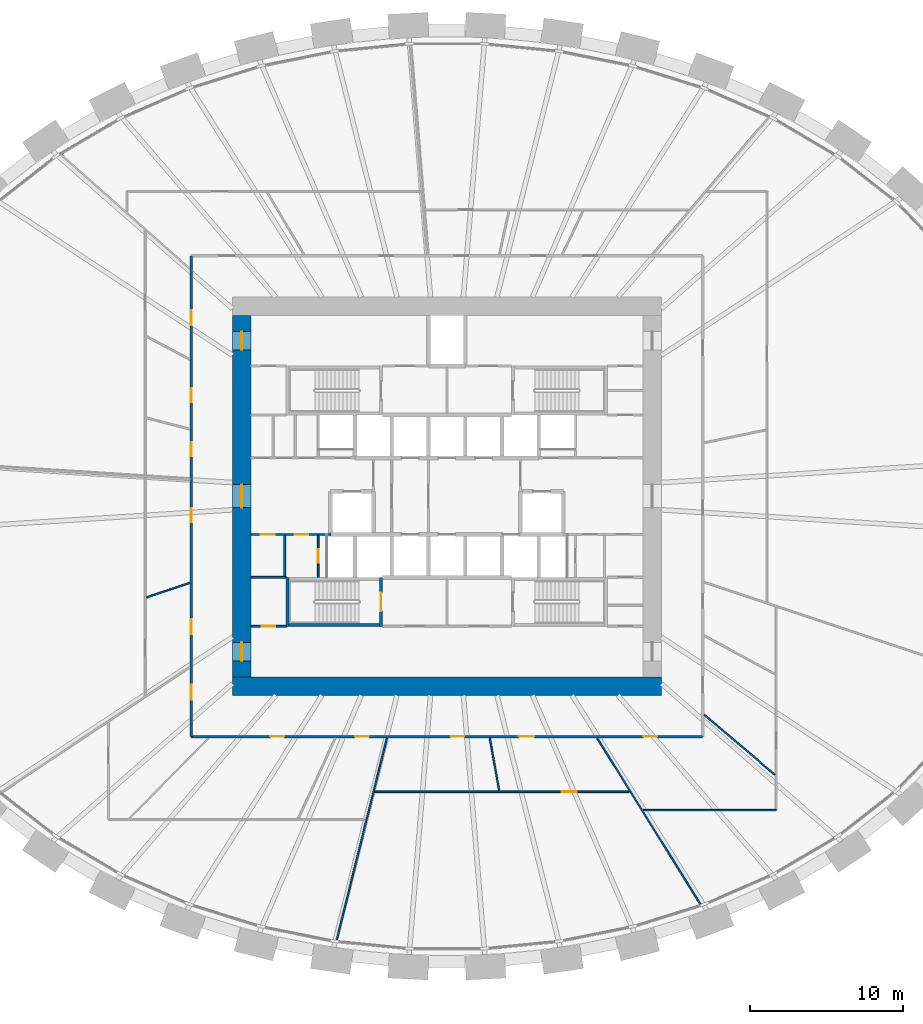
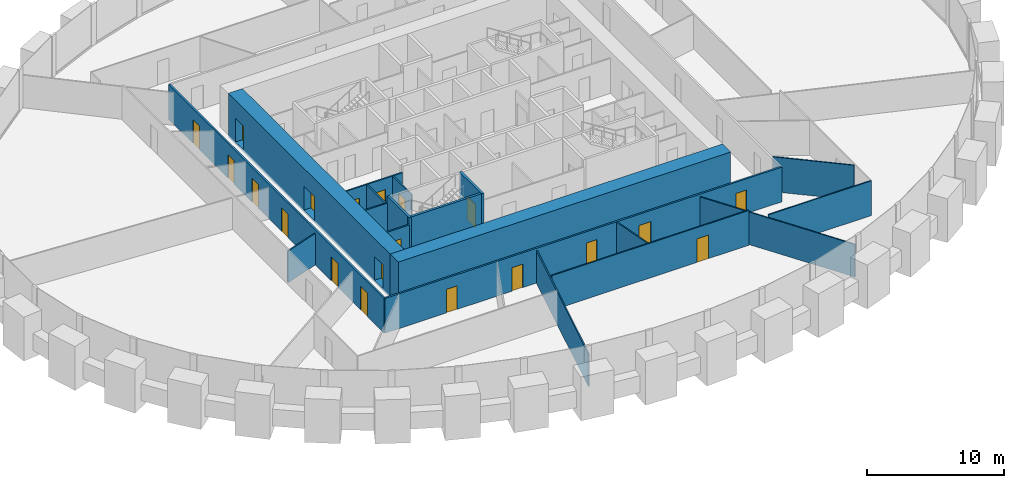
# One storey, part 6 of 11: 20 doors, 19 walls, 20 openings.
"""IFC4 building model written with IfcOpenShell, lengths in metres."""

from ifc_helpers import new_model, si_unit, direction, frame, frame_2d, origin, place, context, subcontext, project, spatial, rectangle, extrude, source, transform, mapped, material, layer, layer_set, type_object, element, fill, save


model = new_model("IFC4")

# Units and contexts
model_context = context("Model", 3, precision=1e-05, world=origin(), true_north=direction((0.0, 1.0)))
body_context = subcontext(model_context, "Body", "Model", "MODEL_VIEW")
ifc_project = project(units=[si_unit("LENGTHUNIT", "METRE"), si_unit("AREAUNIT", "SQUARE_METRE"), si_unit("VOLUMEUNIT", "CUBIC_METRE"), si_unit("PLANEANGLEUNIT", "RADIAN"), si_unit("MASSUNIT", "GRAM", prefix="KILO")], contexts=[model_context])

# Site, building, storey
site_placement = place(None, origin())
site = spatial("IfcSite", under=ifc_project, at=site_placement, CompositionType="ELEMENT")
building_placement = place(site_placement, origin())
building = spatial("IfcBuilding", under=site, at=building_placement, Name="Embergate Tower", CompositionType="ELEMENT")
storey_placement = place(building_placement, frame((0.0, 0.0, 41.89990234375)))
storey = spatial("IfcBuildingStorey", under=building, at=storey_placement, Name="L06", CompositionType="ELEMENT", Elevation=41.89990234375)

# Wall
ifc_material_1 = material(Name="Concrete C80", Category="concrete")
ifc_layer_1 = layer(ifc_material_1, 1.199951171875)
ifc_layer_set_1 = layer_set([ifc_layer_1], Name="Concrete C80")
wall_type_1 = type_object("IfcWallType", Name="Core outer wall C80 1200", PredefinedType="SHEAR", material=ifc_layer_set_1)
shared_shape_1 = source(origin(), body_context, "Body", "SweptSolid", [
    extrude(rectangle(XDim=28.0, YDim=1.199951171875, at=frame_2d((14.0, 0.0))), origin(), (0.0, 0.0, 1.0), 3.900146484375),
])
wall_1_placement = place(storey_placement, frame((-14.0, -12.39990234375, -0.199951171875), z_axis=(0.0, 0.0, 1.0), x_axis=(1.0, 0.0, 0.0)))
element("IfcWall", 1, at=wall_1_placement, inside=storey, type_object=wall_type_1, Name="CW-L06-S", PredefinedType="SHEAR", context=body_context, shape_type="MappedRepresentation", body=[
    mapped(shared_shape_1, transform((0.0, 0.0, 0.0))),
])

# Wall, openings, doors
shared_shape_2 = source(origin(), body_context, "Body", "SweptSolid", [
    extrude(rectangle(XDim=23.60009765625, YDim=1.199951171875, at=frame_2d((11.800048828125, 0.0))), origin(), (0.0, 0.0, 1.0), 3.900146484375),
])
wall_2_placement = place(storey_placement, frame((-13.39990234375, -11.800048828125, -0.199951171875), z_axis=(0.0, 0.0, 1.0), x_axis=(0.0, 1.0, 0.0)))
wall_2 = element("IfcWall", 2, at=wall_2_placement, inside=storey, type_object=wall_type_1, Name="CW-L06-W", PredefinedType="SHEAR", context=body_context, shape_type="MappedRepresentation", body=[
    mapped(shared_shape_2, transform((0.0, 0.0, 0.0))),
])
shared_shape_3 = source(origin(), body_context, "Body", "SweptSolid", [
    extrude(rectangle(XDim=1.199951171875, YDim=2.10009765625, at=frame_2d((0.60009765625, 1.050048828125))), frame((0.0, 0.60986328125, 0.0), z_axis=(0.0, -1.0, 0.0), x_axis=(1.0, 0.0, 0.0)), (0.0, 0.0, 1.0), 1.219970703125),
])
opening_1_placement = place(wall_2_placement, frame((21.35009765625, 0.0, 0.199951171875)))
opening_1 = element("IfcOpeningElement", 3, at=opening_1_placement, cuts=wall_2, Name="Opening IF-1", PredefinedType="OPENING", context=body_context, shape_type="MappedRepresentation", body=[
    mapped(shared_shape_3, transform((0.0, 0.0, 0.0))),
])
opening_2_placement = place(wall_2_placement, frame((1.050048828125, 0.0, 0.199951171875)))
opening_2 = element("IfcOpeningElement", 4, at=opening_2_placement, cuts=wall_2, Name="Opening IF-1", PredefinedType="OPENING", context=body_context, shape_type="MappedRepresentation", body=[
    mapped(shared_shape_3, transform((0.0, 0.0, 0.0))),
])
shared_shape_4 = source(origin(), body_context, "Body", "SweptSolid", [
    extrude(rectangle(XDim=1.5, YDim=2.10009765625, at=frame_2d((0.75, 1.050048828125))), frame((0.0, 0.60986328125, 0.0), z_axis=(0.0, -1.0, 0.0), x_axis=(1.0, 0.0, 0.0)), (0.0, 0.0, 1.0), 1.219970703125),
])
opening_3_placement = place(wall_2_placement, frame((11.050048828125, 0.0, 0.199951171875)))
opening_3 = element("IfcOpeningElement", 5, at=opening_3_placement, cuts=wall_2, Name="Opening IF-3", PredefinedType="OPENING", context=body_context, shape_type="MappedRepresentation", body=[
    mapped(shared_shape_4, transform((0.0, 0.0, 0.0))),
])
ifc_material_2 = material(Name="Escape fire door 1200")
door_type_1 = type_object("IfcDoorType", Name="Escape fire door 1200", OperationType="SINGLE_SWING_LEFT", PredefinedType="DOOR", material=ifc_material_2)
shared_shape_5 = source(origin(), body_context, "Body", "SweptSolid", [
    extrude(rectangle(XDim=1.199951171875, YDim=2.10009765625, at=frame_2d((0.60009765625, 1.050048828125))), frame((0.0, 0.02490234375, 0.0), z_axis=(0.0, -1.0, 0.0), x_axis=(1.0, 0.0, 0.0)), (0.0, 0.0, 1.0), 0.050048828125),
])
door_1_placement = place(opening_1_placement, origin())
door_1 = element("IfcDoor", 6, at=door_1_placement, inside=storey, type_object=door_type_1, Name="IF-1 door", OperationType="SINGLE_SWING_LEFT", OverallHeight=2.10009765625, OverallWidth=1.199951171875, PredefinedType="DOOR", context=body_context, shape_type="MappedRepresentation", body=[
    mapped(shared_shape_5, transform((0.0, 0.0, 0.0))),
])
fill(opening_1, door_1)
door_2_placement = place(opening_2_placement, origin())
door_2 = element("IfcDoor", 7, at=door_2_placement, inside=storey, type_object=door_type_1, Name="IF-1 door", OperationType="SINGLE_SWING_RIGHT", OverallHeight=2.10009765625, OverallWidth=1.199951171875, PredefinedType="DOOR", context=body_context, shape_type="MappedRepresentation", body=[
    mapped(shared_shape_5, transform((0.0, 0.0, 0.0))),
])
fill(opening_2, door_2)
ifc_material_3 = material(Name="Lobby fire door pair 1500")
door_type_2 = type_object("IfcDoorType", Name="Lobby fire door pair 1500", OperationType="DOUBLE_DOOR_SINGLE_SWING", PredefinedType="DOOR", material=ifc_material_3)
shared_shape_6 = source(origin(), body_context, "Body", "SweptSolid", [
    extrude(rectangle(XDim=1.5, YDim=2.10009765625, at=frame_2d((0.75, 1.050048828125))), frame((0.0, 0.02490234375, 0.0), z_axis=(0.0, -1.0, 0.0), x_axis=(1.0, 0.0, 0.0)), (0.0, 0.0, 1.0), 0.050048828125),
])
door_3_placement = place(opening_3_placement, origin())
door_3 = element("IfcDoor", 8, at=door_3_placement, inside=storey, type_object=door_type_2, Name="IF-3 door", OperationType="DOUBLE_DOOR_SINGLE_SWING", OverallHeight=2.10009765625, OverallWidth=1.5, PredefinedType="DOOR", context=body_context, shape_type="MappedRepresentation", body=[
    mapped(shared_shape_6, transform((0.0, 0.0, 0.0))),
])
fill(opening_3, door_3)

ifc_material_4 = material(Name="Corridor wall dry-lined 150")
ifc_layer_2 = layer(ifc_material_4, 0.14990234375)
ifc_layer_set_2 = layer_set([ifc_layer_2], Name="Corridor wall dry-lined 150")
wall_type_2 = type_object("IfcWallType", Name="Corridor wall dry-lined 150", PredefinedType="PARTITIONING", material=ifc_layer_set_2)
shared_shape_7 = source(origin(), body_context, "Body", "SweptSolid", [
    extrude(rectangle(XDim=33.39990234375, YDim=0.14990234375, at=frame_2d((16.699951171875, 0.0))), origin(), (0.0, 0.0, 1.0), 3.10009765625),
])
wall_3_placement = place(storey_placement, frame((16.699951171875, -15.699951171875, 0.0), z_axis=(0.0, 0.0, 1.0), x_axis=(-1.0, 0.0, 0.0)))
wall_3 = element("IfcWall", 9, at=wall_3_placement, inside=storey, type_object=wall_type_2, Name="IP-2 wall", PredefinedType="PARTITIONING", context=body_context, shape_type="MappedRepresentation", body=[
    mapped(shared_shape_7, transform((0.0, 0.0, 0.0))),
])
shared_shape_8 = source(origin(), body_context, "Body", "SweptSolid", [
    extrude(rectangle(XDim=0.89990234375, YDim=2.10009765625, at=frame_2d((0.449951171875, 1.050048828125))), frame((0.0, 0.0849609375, 0.0), z_axis=(0.0, -1.0, 0.0), x_axis=(1.0, 0.0, 0.0)), (0.0, 0.0, 1.0), 0.169921875),
])
opening_4_placement = place(wall_3_placement, frame((27.3359375, 0.0, 0.0)))
opening_4 = element("IfcOpeningElement", 10, at=opening_4_placement, cuts=wall_3, Name="Opening IF-1c", PredefinedType="OPENING", context=body_context, shape_type="MappedRepresentation", body=[
    mapped(shared_shape_8, transform((0.0, 0.0, 0.0))),
])
opening_5_placement = place(wall_3_placement, frame((21.802978515625, 0.0, 0.0)))
opening_5 = element("IfcOpeningElement", 11, at=opening_5_placement, cuts=wall_3, Name="Opening IF-1c", PredefinedType="OPENING", context=body_context, shape_type="MappedRepresentation", body=[
    mapped(shared_shape_8, transform((0.0, 0.0, 0.0))),
])
opening_6_placement = place(wall_3_placement, frame((15.56396484375, 0.0, 0.0)))
opening_6 = element("IfcOpeningElement", 12, at=opening_6_placement, cuts=wall_3, Name="Opening IF-1c", PredefinedType="OPENING", context=body_context, shape_type="MappedRepresentation", body=[
    mapped(shared_shape_8, transform((0.0, 0.0, 0.0))),
])
shared_shape_9 = source(origin(), body_context, "Body", "SweptSolid", [
    extrude(rectangle(XDim=1.0, YDim=2.10009765625, at=frame_2d((0.5, 1.050048828125))), frame((0.0, 0.0849609375, 0.0), z_axis=(0.0, -1.0, 0.0), x_axis=(1.0, 0.0, 0.0)), (0.0, 0.0, 1.0), 0.169921875),
])
opening_7_placement = place(wall_3_placement, frame((11.006103515625, 0.0, 0.0)))
opening_7 = element("IfcOpeningElement", 13, at=opening_7_placement, cuts=wall_3, Name="Opening ID-2", PredefinedType="OPENING", context=body_context, shape_type="MappedRepresentation", body=[
    mapped(shared_shape_9, transform((0.0, 0.0, 0.0))),
])
opening_8_placement = place(wall_3_placement, frame((2.969970703125, 0.0, 0.0)))
opening_8 = element("IfcOpeningElement", 14, at=opening_8_placement, cuts=wall_3, Name="Opening IF-1c", PredefinedType="OPENING", context=body_context, shape_type="MappedRepresentation", body=[
    mapped(shared_shape_8, transform((0.0, 0.0, 0.0))),
])
ifc_material_5 = material(Name="Escape fire door 900")
door_type_3 = type_object("IfcDoorType", Name="Escape fire door 900", OperationType="SINGLE_SWING_LEFT", PredefinedType="DOOR", material=ifc_material_5)
shared_shape_10 = source(origin(), body_context, "Body", "SweptSolid", [
    extrude(rectangle(XDim=0.89990234375, YDim=2.10009765625, at=frame_2d((0.449951171875, 1.050048828125))), frame((0.0, 0.02490234375, 0.0), z_axis=(0.0, -1.0, 0.0), x_axis=(1.0, 0.0, 0.0)), (0.0, 0.0, 1.0), 0.050048828125),
])
door_4_placement = place(opening_4_placement, origin())
door_4 = element("IfcDoor", 15, at=door_4_placement, inside=storey, type_object=door_type_3, Name="IF-1 door", OperationType="SINGLE_SWING_RIGHT", OverallHeight=2.10009765625, OverallWidth=0.89990234375, PredefinedType="DOOR", context=body_context, shape_type="MappedRepresentation", body=[
    mapped(shared_shape_10, transform((0.0, 0.0, 0.0))),
])
fill(opening_4, door_4)
door_5_placement = place(opening_5_placement, origin())
door_5 = element("IfcDoor", 16, at=door_5_placement, inside=storey, type_object=door_type_3, Name="IF-1 door", OperationType="SINGLE_SWING_RIGHT", OverallHeight=2.10009765625, OverallWidth=0.89990234375, PredefinedType="DOOR", context=body_context, shape_type="MappedRepresentation", body=[
    mapped(shared_shape_10, transform((0.0, 0.0, 0.0))),
])
fill(opening_5, door_5)
door_6_placement = place(opening_6_placement, origin())
door_6 = element("IfcDoor", 17, at=door_6_placement, inside=storey, type_object=door_type_3, Name="IF-1 door", OperationType="SINGLE_SWING_LEFT", OverallHeight=2.10009765625, OverallWidth=0.89990234375, PredefinedType="DOOR", context=body_context, shape_type="MappedRepresentation", body=[
    mapped(shared_shape_10, transform((0.0, 0.0, 0.0))),
])
fill(opening_6, door_6)
door_7_placement = place(opening_8_placement, origin())
door_7 = element("IfcDoor", 18, at=door_7_placement, inside=storey, type_object=door_type_3, Name="IF-1 door", OperationType="SINGLE_SWING_RIGHT", OverallHeight=2.10009765625, OverallWidth=0.89990234375, PredefinedType="DOOR", context=body_context, shape_type="MappedRepresentation", body=[
    mapped(shared_shape_10, transform((0.0, 0.0, 0.0))),
])
fill(opening_8, door_7)
ifc_material_6 = material(Name="Interior door 1000")
door_type_4 = type_object("IfcDoorType", Name="Interior door 1000", OperationType="SINGLE_SWING_LEFT", PredefinedType="DOOR", material=ifc_material_6)
shared_shape_11 = source(origin(), body_context, "Body", "SweptSolid", [
    extrude(rectangle(XDim=1.0, YDim=2.10009765625, at=frame_2d((0.5, 1.050048828125))), frame((0.0, 0.02490234375, 0.0), z_axis=(0.0, -1.0, 0.0), x_axis=(1.0, 0.0, 0.0)), (0.0, 0.0, 1.0), 0.050048828125),
])
door_8_placement = place(opening_7_placement, origin())
door_8 = element("IfcDoor", 19, at=door_8_placement, inside=storey, type_object=door_type_4, Name="ID-2 door", OperationType="SINGLE_SWING_LEFT", OverallHeight=2.10009765625, OverallWidth=1.0, PredefinedType="DOOR", context=body_context, shape_type="MappedRepresentation", body=[
    mapped(shared_shape_11, transform((0.0, 0.0, 0.0))),
])
fill(opening_7, door_8)

# Wall
ifc_material_7 = material(Name="Partition dry-lined 100")
ifc_layer_3 = layer(ifc_material_7, 0.10009765625)
ifc_layer_set_3 = layer_set([ifc_layer_3], Name="Partition dry-lined 100")
wall_type_3 = type_object("IfcWallType", Name="Partition dry-lined 100", PredefinedType="PARTITIONING", material=ifc_layer_set_3)
shared_shape_12 = source(origin(), body_context, "Body", "SweptSolid", [
    extrude(rectangle(XDim=3.510986328125, YDim=0.10009765625, at=frame_2d((1.75537109375, 0.0))), origin(), (0.0, 0.0, 1.0), 3.10009765625),
])
wall_4_placement = place(storey_placement, frame((2.799072265625, -15.783935546875, 0.0), z_axis=(0.0, 0.0, 1.0), x_axis=(0.174606412115, -0.984638309659, 0.0)))
element("IfcWall", 20, at=wall_4_placement, inside=storey, type_object=wall_type_3, Name="IP-1 wall", PredefinedType="PARTITIONING", context=body_context, shape_type="MappedRepresentation", body=[
    mapped(shared_shape_12, transform((0.0, 0.0, 0.0))),
])

# Wall, opening, door
shared_shape_13 = source(origin(), body_context, "Body", "SweptSolid", [
    extrude(rectangle(XDim=16.6259765625, YDim=0.10009765625, at=frame_2d((8.31298828125, 0.0))), origin(), (0.0, 0.0, 1.0), 3.10009765625),
])
wall_5_placement = place(storey_placement, frame((11.89697265625, -19.300048828125, 0.0), z_axis=(0.0, 0.0, 1.0), x_axis=(-1.0, 0.0, 0.0)))
wall_5 = element("IfcWall", 21, at=wall_5_placement, inside=storey, type_object=wall_type_3, Name="IP-1 wall", PredefinedType="PARTITIONING", context=body_context, shape_type="MappedRepresentation", body=[
    mapped(shared_shape_13, transform((0.0, 0.0, 0.0))),
])
shared_shape_14 = source(origin(), body_context, "Body", "SweptSolid", [
    extrude(rectangle(XDim=1.0, YDim=2.10009765625, at=frame_2d((0.5, 1.050048828125))), frame((0.0, 0.06005859375, 0.0), z_axis=(0.0, -1.0, 0.0), x_axis=(1.0, 0.0, 0.0)), (0.0, 0.0, 1.0), 0.1201171875),
])
opening_9_placement = place(wall_5_placement, frame((3.4140625, 0.0, 0.0)))
opening_9 = element("IfcOpeningElement", 22, at=opening_9_placement, cuts=wall_5, Name="Opening ID-2", PredefinedType="OPENING", context=body_context, shape_type="MappedRepresentation", body=[
    mapped(shared_shape_14, transform((0.0, 0.0, 0.0))),
])
door_9_placement = place(opening_9_placement, origin())
door_9 = element("IfcDoor", 23, at=door_9_placement, inside=storey, type_object=door_type_4, Name="ID-2 door", OperationType="SINGLE_SWING_RIGHT", OverallHeight=2.10009765625, OverallWidth=1.0, PredefinedType="DOOR", context=body_context, shape_type="MappedRepresentation", body=[
    mapped(shared_shape_11, transform((0.0, 0.0, 0.0))),
])
fill(opening_9, door_9)

# Wall
shared_shape_15 = source(origin(), body_context, "Body", "SweptSolid", [
    extrude(rectangle(XDim=8.677978515625, YDim=0.10009765625, at=frame_2d((4.3388671875, 0.0))), origin(), (0.0, 0.0, 1.0), 3.10009765625),
])
wall_6_placement = place(storey_placement, frame((21.5, -20.5, 0.0), z_axis=(0.0, 0.0, 1.0), x_axis=(-1.0, 0.0, 0.0)))
element("IfcWall", 24, at=wall_6_placement, inside=storey, type_object=wall_type_3, Name="IP-1 wall", PredefinedType="PARTITIONING", context=body_context, shape_type="MappedRepresentation", body=[
    mapped(shared_shape_15, transform((0.0, 0.0, 0.0))),
])

# Wall, opening, door
ifc_material_8 = material(Name="Core partition blockwork 120")
ifc_layer_4 = layer(ifc_material_8, 0.1201171875)
ifc_layer_set_4 = layer_set([ifc_layer_4], Name="Core partition blockwork 120")
wall_type_4 = type_object("IfcWallType", Name="Core partition blockwork 120", PredefinedType="PARTITIONING", material=ifc_layer_set_4)
shared_shape_16 = source(origin(), body_context, "Body", "SweptSolid", [
    extrude(rectangle(XDim=2.739990234375, YDim=0.1201171875, at=frame_2d((1.3701171875, 0.0))), origin(), (0.0, 0.0, 1.0), 3.10009765625),
])
wall_7_placement = place(storey_placement, frame((-8.39990234375, -2.56005859375, 0.0), z_axis=(0.0, 0.0, 1.0), x_axis=(0.0, -1.0, 0.0)))
wall_7 = element("IfcWall", 25, at=wall_7_placement, inside=storey, type_object=wall_type_4, Name="IP-3 wall", PredefinedType="PARTITIONING", context=body_context, shape_type="MappedRepresentation", body=[
    mapped(shared_shape_16, transform((0.0, 0.0, 0.0))),
])
shared_shape_17 = source(origin(), body_context, "Body", "SweptSolid", [
    extrude(rectangle(XDim=0.89990234375, YDim=2.10009765625, at=frame_2d((0.449951171875, 1.050048828125))), frame((0.0, 0.070068359375, 0.0), z_axis=(0.0, -1.0, 0.0), x_axis=(1.0, 0.0, 0.0)), (0.0, 0.0, 1.0), 0.14013671875),
])
opening_10_placement = place(wall_7_placement, frame((0.889892578125, 0.0, 0.0)))
opening_10 = element("IfcOpeningElement", 26, at=opening_10_placement, cuts=wall_7, Name="Opening ID-1", PredefinedType="OPENING", context=body_context, shape_type="MappedRepresentation", body=[
    mapped(shared_shape_17, transform((0.0, 0.0, 0.0))),
])
ifc_material_9 = material(Name="Interior door 900")
door_type_5 = type_object("IfcDoorType", Name="Interior door 900", OperationType="SINGLE_SWING_LEFT", PredefinedType="DOOR", material=ifc_material_9)
door_10_placement = place(opening_10_placement, origin())
door_10 = element("IfcDoor", 27, at=door_10_placement, inside=storey, type_object=door_type_5, Name="ID-1 door", OperationType="SINGLE_SWING_RIGHT", OverallHeight=2.10009765625, OverallWidth=0.89990234375, PredefinedType="DOOR", context=body_context, shape_type="MappedRepresentation", body=[
    mapped(shared_shape_10, transform((0.0, 0.0, 0.0))),
])
fill(opening_10, door_10)

# Wall, openings, doors
shared_shape_18 = source(origin(), body_context, "Body", "SweptSolid", [
    extrude(rectangle(XDim=5.199951171875, YDim=0.1201171875, at=frame_2d((2.60009765625, 0.0))), origin(), (0.0, 0.0, 1.0), 3.10009765625),
])
wall_8_placement = place(storey_placement, frame((-7.60009765625, -2.5, 0.0), z_axis=(0.0, 0.0, 1.0), x_axis=(-1.0, 0.0, 0.0)))
wall_8 = element("IfcWall", 28, at=wall_8_placement, inside=storey, type_object=wall_type_4, Name="IP-3 wall", PredefinedType="PARTITIONING", context=body_context, shape_type="MappedRepresentation", body=[
    mapped(shared_shape_18, transform((0.0, 0.0, 0.0))),
])
opening_11_placement = place(wall_8_placement, frame((3.64990234375, 0.0, 0.0)))
opening_11 = element("IfcOpeningElement", 29, at=opening_11_placement, cuts=wall_8, Name="Opening ID-1", PredefinedType="OPENING", context=body_context, shape_type="MappedRepresentation", body=[
    mapped(shared_shape_17, transform((0.0, 0.0, 0.0))),
])
opening_12_placement = place(wall_8_placement, frame((1.449951171875, 0.0, 0.0)))
opening_12 = element("IfcOpeningElement", 30, at=opening_12_placement, cuts=wall_8, Name="Opening ID-1", PredefinedType="OPENING", context=body_context, shape_type="MappedRepresentation", body=[
    mapped(shared_shape_17, transform((0.0, 0.0, 0.0))),
])
door_11_placement = place(opening_11_placement, origin())
door_11 = element("IfcDoor", 31, at=door_11_placement, inside=storey, type_object=door_type_5, Name="ID-1 door", OperationType="SINGLE_SWING_RIGHT", OverallHeight=2.10009765625, OverallWidth=0.89990234375, PredefinedType="DOOR", context=body_context, shape_type="MappedRepresentation", body=[
    mapped(shared_shape_10, transform((0.0, 0.0, 0.0))),
])
fill(opening_11, door_11)
door_12_placement = place(opening_12_placement, origin())
door_12 = element("IfcDoor", 32, at=door_12_placement, inside=storey, type_object=door_type_5, Name="ID-1 door", OperationType="SINGLE_SWING_RIGHT", OverallHeight=2.10009765625, OverallWidth=0.89990234375, PredefinedType="DOOR", context=body_context, shape_type="MappedRepresentation", body=[
    mapped(shared_shape_10, transform((0.0, 0.0, 0.0))),
])
fill(opening_12, door_12)

# Wall, opening, door
shared_shape_19 = source(origin(), body_context, "Body", "SweptSolid", [
    extrude(rectangle(XDim=2.300048828125, YDim=0.1201171875, at=frame_2d((1.14990234375, 0.0))), origin(), (0.0, 0.0, 1.0), 3.10009765625),
])
wall_9_placement = place(storey_placement, frame((-10.5, -8.5, 0.0), z_axis=(0.0, 0.0, 1.0), x_axis=(-1.0, 0.0, 0.0)))
wall_9 = element("IfcWall", 33, at=wall_9_placement, inside=storey, type_object=wall_type_4, Name="IP-3 wall", PredefinedType="PARTITIONING", context=body_context, shape_type="MappedRepresentation", body=[
    mapped(shared_shape_19, transform((0.0, 0.0, 0.0))),
])
opening_13_placement = place(wall_9_placement, frame((0.699951171875, 0.0, 0.0)))
opening_13 = element("IfcOpeningElement", 34, at=opening_13_placement, cuts=wall_9, Name="Opening ID-1", PredefinedType="OPENING", context=body_context, shape_type="MappedRepresentation", body=[
    mapped(shared_shape_17, transform((0.0, 0.0, 0.0))),
])
door_13_placement = place(opening_13_placement, origin())
door_13 = element("IfcDoor", 35, at=door_13_placement, inside=storey, type_object=door_type_5, Name="ID-1 door", OperationType="SINGLE_SWING_LEFT", OverallHeight=2.10009765625, OverallWidth=0.89990234375, PredefinedType="DOOR", context=body_context, shape_type="MappedRepresentation", body=[
    mapped(shared_shape_10, transform((0.0, 0.0, 0.0))),
])
fill(opening_13, door_13)

# Walls
wall_10_placement = place(storey_placement, frame((-12.800048828125, -5.300048828125, 0.0), z_axis=(0.0, 0.0, 1.0), x_axis=(1.0, 0.0, 0.0)))
element("IfcWall", 36, at=wall_10_placement, inside=storey, type_object=wall_type_4, Name="IP-3 wall", PredefinedType="PARTITIONING", context=body_context, shape_type="MappedRepresentation", body=[
    mapped(shared_shape_19, transform((0.0, 0.0, 0.0))),
])
shared_shape_20 = source(origin(), body_context, "Body", "SweptSolid", [
    extrude(rectangle(XDim=2.679931640625, YDim=0.1201171875, at=frame_2d((1.33984375, 0.0))), origin(), (0.0, 0.0, 1.0), 3.10009765625),
])
wall_11_placement = place(storey_placement, frame((-10.60009765625, -5.239990234375, 0.0), z_axis=(0.0, 0.0, 1.0), x_axis=(0.0, 1.0, 0.0)))
element("IfcWall", 37, at=wall_11_placement, inside=storey, type_object=wall_type_4, Name="IP-3 wall", PredefinedType="PARTITIONING", context=body_context, shape_type="MappedRepresentation", body=[
    mapped(shared_shape_20, transform((0.0, 0.0, 0.0))),
])

# Wall, openings, doors
shared_shape_21 = source(origin(), body_context, "Body", "SweptSolid", [
    extrude(rectangle(XDim=31.39990234375, YDim=0.14990234375, at=frame_2d((15.699951171875, 0.0))), origin(), (0.0, 0.0, 1.0), 3.10009765625),
])
wall_12_placement = place(storey_placement, frame((-16.699951171875, -15.699951171875, 0.0), z_axis=(0.0, 0.0, 1.0), x_axis=(0.0, 1.0, 0.0)))
wall_12 = element("IfcWall", 38, at=wall_12_placement, inside=storey, type_object=wall_type_2, Name="IP-2 wall", PredefinedType="PARTITIONING", context=body_context, shape_type="MappedRepresentation", body=[
    mapped(shared_shape_21, transform((0.0, 0.0, 0.0))),
])
opening_14_placement = place(wall_12_placement, frame((2.39599609375, 0.0, 0.0)))
opening_14 = element("IfcOpeningElement", 39, at=opening_14_placement, cuts=wall_12, Name="Opening ID-2", PredefinedType="OPENING", context=body_context, shape_type="MappedRepresentation", body=[
    mapped(shared_shape_9, transform((0.0, 0.0, 0.0))),
])
opening_15_placement = place(wall_12_placement, frame((26.85791015625, 0.0, 0.0)))
opening_15 = element("IfcOpeningElement", 40, at=opening_15_placement, cuts=wall_12, Name="Opening ID-2", PredefinedType="OPENING", context=body_context, shape_type="MappedRepresentation", body=[
    mapped(shared_shape_9, transform((0.0, 0.0, 0.0))),
])
opening_16_placement = place(wall_12_placement, frame((21.837890625, 0.0, 0.0)))
opening_16 = element("IfcOpeningElement", 41, at=opening_16_placement, cuts=wall_12, Name="Opening IF-1c", PredefinedType="OPENING", context=body_context, shape_type="MappedRepresentation", body=[
    mapped(shared_shape_8, transform((0.0, 0.0, 0.0))),
])
opening_17_placement = place(wall_12_placement, frame((18.320068359375, 0.0, 0.0)))
opening_17 = element("IfcOpeningElement", 42, at=opening_17_placement, cuts=wall_12, Name="Opening IF-1c", PredefinedType="OPENING", context=body_context, shape_type="MappedRepresentation", body=[
    mapped(shared_shape_8, transform((0.0, 0.0, 0.0))),
])
opening_18_placement = place(wall_12_placement, frame((14.014892578125, 0.0, 0.0)))
opening_18 = element("IfcOpeningElement", 43, at=opening_18_placement, cuts=wall_12, Name="Opening IF-1c", PredefinedType="OPENING", context=body_context, shape_type="MappedRepresentation", body=[
    mapped(shared_shape_8, transform((0.0, 0.0, 0.0))),
])
opening_19_placement = place(wall_12_placement, frame((6.677978515625, 0.0, 0.0)))
opening_19 = element("IfcOpeningElement", 44, at=opening_19_placement, cuts=wall_12, Name="Opening ID-2", PredefinedType="OPENING", context=body_context, shape_type="MappedRepresentation", body=[
    mapped(shared_shape_9, transform((0.0, 0.0, 0.0))),
])
door_14_placement = place(opening_16_placement, origin())
door_14 = element("IfcDoor", 45, at=door_14_placement, inside=storey, type_object=door_type_3, Name="IF-1 door", OperationType="SINGLE_SWING_RIGHT", OverallHeight=2.10009765625, OverallWidth=0.89990234375, PredefinedType="DOOR", context=body_context, shape_type="MappedRepresentation", body=[
    mapped(shared_shape_10, transform((0.0, 0.0, 0.0))),
])
fill(opening_16, door_14)
door_15_placement = place(opening_17_placement, origin())
door_15 = element("IfcDoor", 46, at=door_15_placement, inside=storey, type_object=door_type_3, Name="IF-1 door", OperationType="SINGLE_SWING_RIGHT", OverallHeight=2.10009765625, OverallWidth=0.89990234375, PredefinedType="DOOR", context=body_context, shape_type="MappedRepresentation", body=[
    mapped(shared_shape_10, transform((0.0, 0.0, 0.0))),
])
fill(opening_17, door_15)
door_16_placement = place(opening_18_placement, origin())
door_16 = element("IfcDoor", 47, at=door_16_placement, inside=storey, type_object=door_type_3, Name="IF-1 door", OperationType="SINGLE_SWING_LEFT", OverallHeight=2.10009765625, OverallWidth=0.89990234375, PredefinedType="DOOR", context=body_context, shape_type="MappedRepresentation", body=[
    mapped(shared_shape_10, transform((0.0, 0.0, 0.0))),
])
fill(opening_18, door_16)
door_17_placement = place(opening_14_placement, origin())
door_17 = element("IfcDoor", 48, at=door_17_placement, inside=storey, type_object=door_type_4, Name="ID-2 door", OperationType="SINGLE_SWING_RIGHT", OverallHeight=2.10009765625, OverallWidth=1.0, PredefinedType="DOOR", context=body_context, shape_type="MappedRepresentation", body=[
    mapped(shared_shape_11, transform((0.0, 0.0, 0.0))),
])
fill(opening_14, door_17)
door_18_placement = place(opening_15_placement, origin())
door_18 = element("IfcDoor", 49, at=door_18_placement, inside=storey, type_object=door_type_4, Name="ID-2 door", OperationType="SINGLE_SWING_RIGHT", OverallHeight=2.10009765625, OverallWidth=1.0, PredefinedType="DOOR", context=body_context, shape_type="MappedRepresentation", body=[
    mapped(shared_shape_11, transform((0.0, 0.0, 0.0))),
])
fill(opening_15, door_18)
door_19_placement = place(opening_19_placement, origin())
door_19 = element("IfcDoor", 50, at=door_19_placement, inside=storey, type_object=door_type_4, Name="ID-2 door", OperationType="SINGLE_SWING_RIGHT", OverallHeight=2.10009765625, OverallWidth=1.0, PredefinedType="DOOR", context=body_context, shape_type="MappedRepresentation", body=[
    mapped(shared_shape_11, transform((0.0, 0.0, 0.0))),
])
fill(opening_19, door_19)

# Walls
shared_shape_22 = source(origin(), body_context, "Body", "SweptSolid", [
    extrude(rectangle(XDim=13.68310546875, YDim=0.10009765625, at=frame_2d((6.841552734375, 0.0))), origin(), (0.0, 0.0, 1.0), 2.900146484375),
])
wall_13_placement = place(storey_placement, frame((-3.9208984375, -15.787109375, 0.0), z_axis=(0.0, 0.0, 1.0), x_axis=(-0.241032377939, -0.970517074958, 0.0)))
element("IfcWall", 51, at=wall_13_placement, inside=storey, type_object=wall_type_3, Name="IP-1 wall", PredefinedType="PARTITIONING", context=body_context, shape_type="MappedRepresentation", body=[
    mapped(shared_shape_22, transform((0.0, 0.0, 0.0))),
])
shared_shape_23 = source(origin(), body_context, "Body", "SweptSolid", [
    extrude(rectangle(XDim=12.84423828125, YDim=0.10009765625, at=frame_2d((6.422119140625, 0.0))), origin(), (0.0, 0.0, 1.0), 2.900146484375),
])
wall_14_placement = place(storey_placement, frame((9.81396484375, -15.801025390625, 0.0), z_axis=(0.0, 0.0, 1.0), x_axis=(0.527633951218, -0.849471843866, 0.0)))
element("IfcWall", 52, at=wall_14_placement, inside=storey, type_object=wall_type_3, Name="IP-1 wall", PredefinedType="PARTITIONING", context=body_context, shape_type="MappedRepresentation", body=[
    mapped(shared_shape_23, transform((0.0, 0.0, 0.0))),
])
shared_shape_24 = source(origin(), body_context, "Body", "SweptSolid", [
    extrude(rectangle(XDim=6.048828125, YDim=0.10009765625, at=frame_2d((3.0244140625, 0.0))), origin(), (0.0, 0.0, 1.0), 3.10009765625),
])
wall_15_placement = place(storey_placement, frame((16.806884765625, -14.27392578125, 0.0), z_axis=(0.0, 0.0, 1.0), x_axis=(0.762296709219, -0.647227724309, 0.0)))
element("IfcWall", 53, at=wall_15_placement, inside=storey, type_object=wall_type_3, Name="IP-1 wall", PredefinedType="PARTITIONING", context=body_context, shape_type="MappedRepresentation", body=[
    mapped(shared_shape_24, transform((0.0, 0.0, 0.0))),
])
shared_shape_25 = source(origin(), body_context, "Body", "SweptSolid", [
    extrude(rectangle(XDim=3.0, YDim=0.10009765625, at=frame_2d((1.5, 0.0))), origin(), (0.0, 0.0, 1.0), 2.800048828125),
])
wall_16_placement = place(storey_placement, frame((-16.791015625, -5.656982421875, 0.0), z_axis=(0.0, 0.0, 1.0), x_axis=(-0.94764473317, -0.319326572173, 0.0)))
element("IfcWall", 54, at=wall_16_placement, inside=storey, type_object=wall_type_3, Name="IP-1 wall", PredefinedType="PARTITIONING", context=body_context, shape_type="MappedRepresentation", body=[
    mapped(shared_shape_25, transform((0.0, 0.0, 0.0))),
])
ifc_material_10 = material(Name="Concrete C50", Category="concrete")
ifc_layer_5 = layer(ifc_material_10, 0.199951171875)
ifc_layer_set_5 = layer_set([ifc_layer_5], Name="Concrete C50")
wall_type_5 = type_object("IfcWallType", Name="Stair enclosure wall reinforced concrete 250", PredefinedType="SHEAR", material=ifc_layer_set_5)
shared_shape_26 = source(origin(), body_context, "Body", "SweptSolid", [
    extrude(rectangle(XDim=6.300048828125, YDim=0.199951171875, at=frame_2d((3.14990234375, 0.0))), origin(), (0.0, 0.0, 1.0), 3.7001953125),
])
wall_17_placement = place(storey_placement, frame((-10.5, -8.39990234375, 0.0), z_axis=(0.0, 0.0, 1.0), x_axis=(1.0, 0.0, 0.0)))
element("IfcWall", 55, at=wall_17_placement, inside=storey, type_object=wall_type_5, Name="SE-1 wall", PredefinedType="SHEAR", context=body_context, shape_type="MappedRepresentation", body=[
    mapped(shared_shape_26, transform((0.0, 0.0, 0.0))),
])

# Wall, opening, door
shared_shape_27 = source(origin(), body_context, "Body", "SweptSolid", [
    extrude(rectangle(XDim=3.199951171875, YDim=0.199951171875, at=frame_2d((1.60009765625, 0.0))), origin(), (0.0, 0.0, 1.0), 3.7001953125),
])
wall_18_placement = place(storey_placement, frame((-4.300048828125, -8.5, 0.0), z_axis=(0.0, 0.0, 1.0), x_axis=(0.0, 1.0, 0.0)))
wall_18 = element("IfcWall", 56, at=wall_18_placement, inside=storey, type_object=wall_type_5, Name="SE-1 wall", PredefinedType="SHEAR", context=body_context, shape_type="MappedRepresentation", body=[
    mapped(shared_shape_27, transform((0.0, 0.0, 0.0))),
])
shared_shape_28 = source(origin(), body_context, "Body", "SweptSolid", [
    extrude(rectangle(XDim=1.199951171875, YDim=2.10009765625, at=frame_2d((0.60009765625, 1.050048828125))), frame((0.0, 0.10986328125, 0.0), z_axis=(0.0, -1.0, 0.0), x_axis=(1.0, 0.0, 0.0)), (0.0, 0.0, 1.0), 0.219970703125),
])
opening_20_placement = place(wall_18_placement, frame((1.0, 0.0, 0.0)))
opening_20 = element("IfcOpeningElement", 57, at=opening_20_placement, cuts=wall_18, Name="Opening IF-2", PredefinedType="OPENING", context=body_context, shape_type="MappedRepresentation", body=[
    mapped(shared_shape_28, transform((0.0, 0.0, 0.0))),
])
ifc_material_11 = material(Name="Stair enclosure door 1200")
door_type_6 = type_object("IfcDoorType", Name="Stair enclosure door 1200", OperationType="SINGLE_SWING_LEFT", PredefinedType="DOOR", material=ifc_material_11)
door_20_placement = place(opening_20_placement, origin())
door_20 = element("IfcDoor", 58, at=door_20_placement, inside=storey, type_object=door_type_6, Name="IF-2 door", OperationType="SINGLE_SWING_RIGHT", OverallHeight=2.10009765625, OverallWidth=1.199951171875, PredefinedType="DOOR", context=body_context, shape_type="MappedRepresentation", body=[
    mapped(shared_shape_5, transform((0.0, 0.0, 0.0))),
])
fill(opening_20, door_20)

# Wall
wall_19_placement = place(storey_placement, frame((-10.39990234375, -5.300048828125, 0.0), z_axis=(0.0, 0.0, 1.0), x_axis=(0.0, -1.0, 0.0)))
element("IfcWall", 59, at=wall_19_placement, inside=storey, type_object=wall_type_5, Name="SE-1 wall", PredefinedType="SHEAR", context=body_context, shape_type="MappedRepresentation", body=[
    mapped(shared_shape_27, transform((0.0, 0.0, 0.0))),
])

save(model, "model.ifc")
